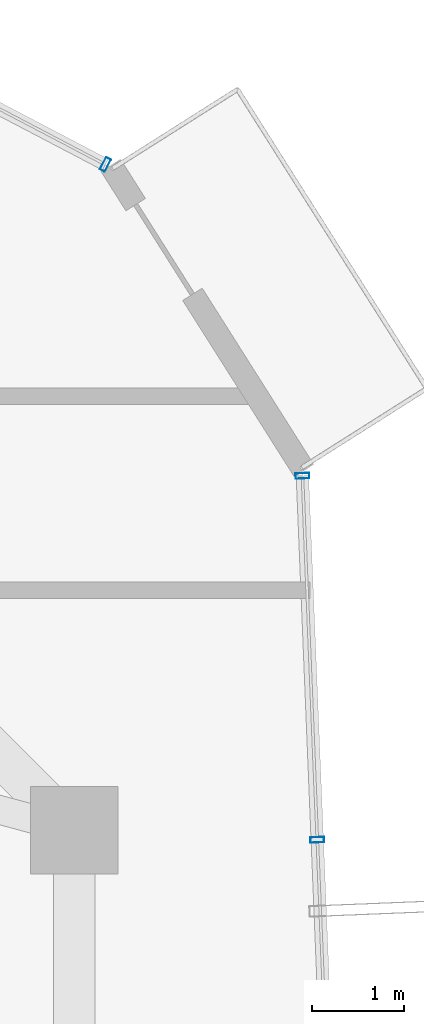
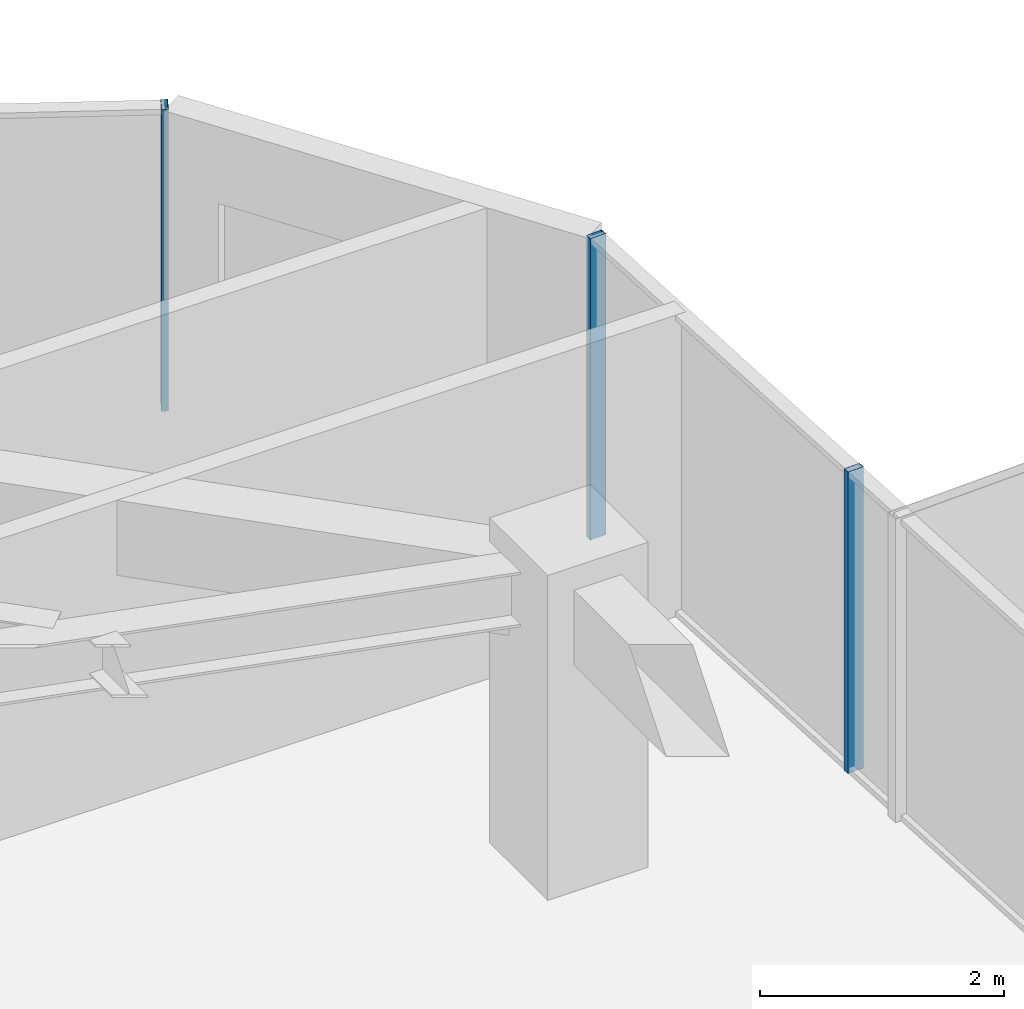
# One storey, part 21 of 33: 3 members, 2 elements without a shape of their own.
"""IFC4 building model written with IfcOpenShell, lengths in metres."""

from ifc_helpers import new_model, si_unit, direction, frame, origin, origin_2d, place, context, subcontext, project, spatial, hollow_rectangle, extrude, source, transform, mapped, material, layer, layer_set, material_profile, profile_set, type_object, element, aggregate, save


model = new_model("IFC4")

# Units and contexts
model_context = context("Model", 3, precision=1e-05, world=origin(), true_north=direction((0.0, 1.0)))
body_context = subcontext(model_context, "Body", "Model", "MODEL_VIEW")
ifc_project = project(units=[si_unit("LENGTHUNIT", "METRE"), si_unit("AREAUNIT", "SQUARE_METRE"), si_unit("VOLUMEUNIT", "CUBIC_METRE"), si_unit("PLANEANGLEUNIT", "RADIAN"), si_unit("MASSUNIT", "GRAM", prefix="KILO")], contexts=[model_context])

# Site, building, storey
site_placement = place(None, origin())
site = spatial("IfcSite", under=ifc_project, at=site_placement, CompositionType="ELEMENT")
building_placement = place(site_placement, origin())
building = spatial("IfcBuilding", under=site, at=building_placement, Name="Veraguas Prism Commons", CompositionType="ELEMENT")
storey_placement = place(building_placement, frame((0.0, 0.0, 198.35009765625)))
storey = spatial("IfcBuildingStorey", under=building, at=storey_placement, Name="L56", CompositionType="ELEMENT", Elevation=198.35009765625)

# Curtain wall, member
ifc_material = material(Name="Anodised aluminium EN AW-6063 T6", Category="aluminium")
ifc_layer = layer(ifc_material, 0.14990234375, Name="Unitised Flush Curtain Wall Zone 3", Category="aluminium")
ifc_layer_set = layer_set([ifc_layer], Name="Anodised aluminium EN AW-6063 T6")
curtain_wall_type = type_object("IfcCurtainWallType", Name="Unitised Flush Curtain Wall Zone 3", PredefinedType="NOTDEFINED", material=ifc_layer_set)
curtain_wall_1_placement = place(storey_placement, origin())
curtain_wall_1 = element("IfcCurtainWall", 1, at=curtain_wall_1_placement, inside=storey, type_object=curtain_wall_type, Name="Tower Facade Curtain Wall L56-F1", PredefinedType="NOTDEFINED")
ifc_material_profile = material_profile(ifc_material, hollow_rectangle(XDim=0.06005859375, YDim=0.14990234375, WallThickness=0.0029296875, at=origin_2d()), Name="AL60X150X3")
ifc_profile_set = profile_set([ifc_material_profile], Name="Anodised aluminium EN AW-6063 T6")
member_type = type_object("IfcMemberType", Name="Curtain Wall Mullion Upper AL 60x150x3", PredefinedType="MULLION", material=ifc_profile_set)
shared_shape = source(origin(), body_context, "Body", "SweptSolid", [
    extrude(hollow_rectangle(XDim=0.06005859375, YDim=0.14990234375, WallThickness=0.0029296875, at=origin_2d()), origin(), (0.0, 0.0, 1.0), 3.014892578125),
])
member_1_placement = place(storey_placement, frame((39.237548828125, 36.009033203125, 0.0), z_axis=(0.0, 0.0, 1.0), x_axis=(-0.885721982014, 0.464216081773, 0.0)))
member_1 = element("IfcMember", 2, at=member_1_placement, type_object=member_type, Name="CW-Z3 Mullion 1", PredefinedType="MULLION", context=body_context, shape_type="MappedRepresentation", body=[
    mapped(shared_shape, transform((0.0, 0.0, 0.0), scale=1.0)),
])
aggregate(curtain_wall_1, [member_1])

# Curtain wall, members
curtain_wall_2_placement = place(storey_placement, origin())
curtain_wall_2 = element("IfcCurtainWall", 3, at=curtain_wall_2_placement, inside=storey, type_object=curtain_wall_type, Name="Tower Facade Curtain Wall L56-F6", PredefinedType="NOTDEFINED")
member_2_placement = place(storey_placement, frame((41.533203125, 28.6953125, 0.0), z_axis=(0.0, 0.0, 1.0), x_axis=(-0.040829351979, 0.999166134343, 0.0)))
member_2 = element("IfcMember", 4, at=member_2_placement, type_object=member_type, Name="CW-Z3 Mullion 4", PredefinedType="MULLION", context=body_context, shape_type="MappedRepresentation", body=[
    mapped(shared_shape, transform((0.0, 0.0, 0.0), scale=1.0)),
])
member_3_placement = place(storey_placement, frame((41.3720703125, 32.6376953125, 0.0), z_axis=(0.0, 0.0, 1.0), x_axis=(-0.040829351979, 0.999166134343, 0.0)))
member_3 = element("IfcMember", 5, at=member_3_placement, type_object=member_type, Name="CW-Z3 Mullion 5", PredefinedType="MULLION", context=body_context, shape_type="MappedRepresentation", body=[
    mapped(shared_shape, transform((0.0, 0.0, 0.0), scale=1.0)),
])
aggregate(curtain_wall_2, [member_2, member_3])

save(model, "model.ifc")
